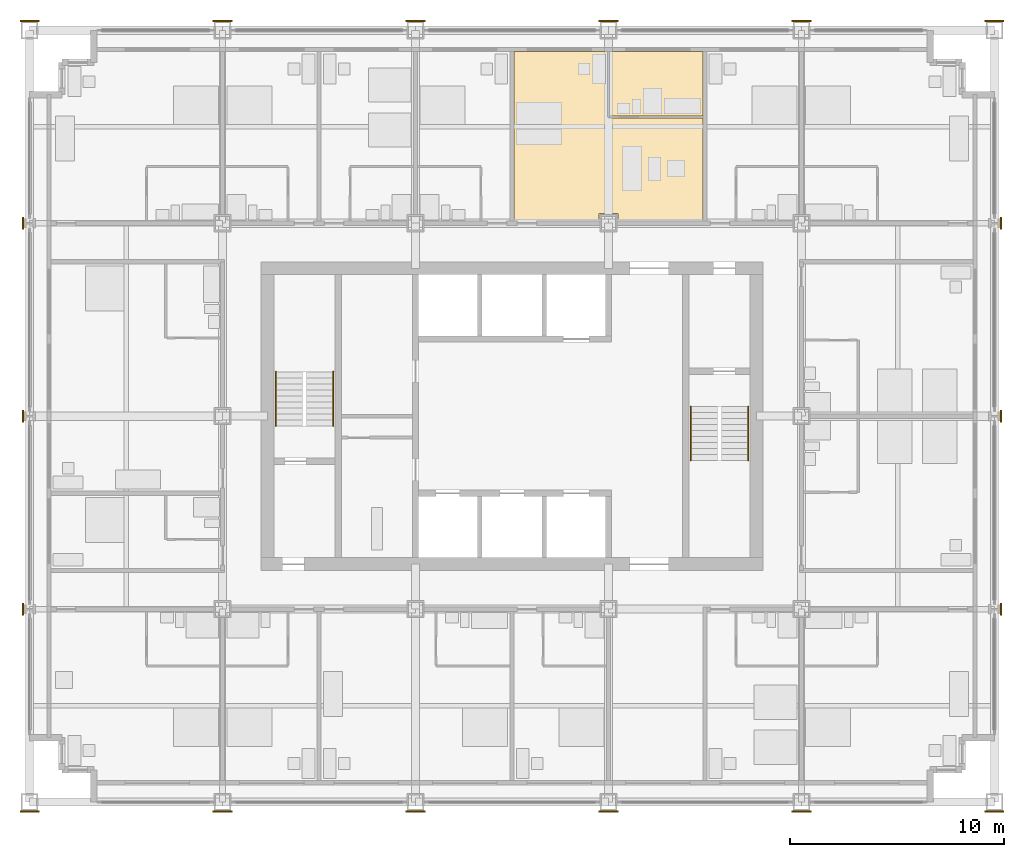
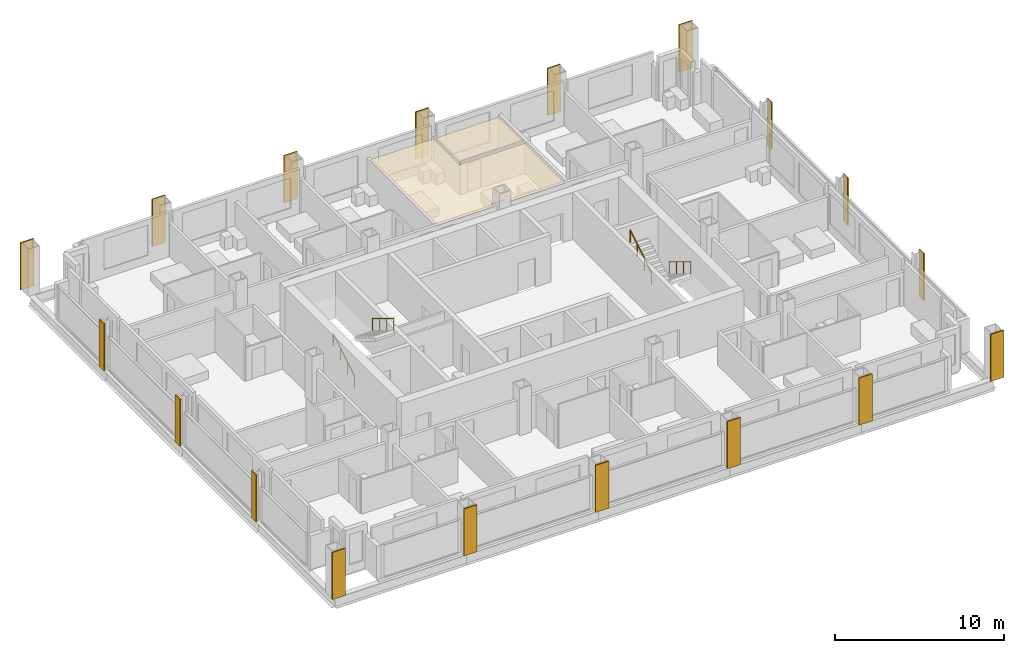
# One storey, part 14 of 16: 20 coverings, 4 railings.
"""IFC4 building model written with IfcOpenShell, lengths in metres."""

from ifc_helpers import new_model, si_unit, direction, frame, origin, origin_2d, place, context, subcontext, project, spatial, polyline, rectangle, circle, outline, extrude, material, layer, layer_set, type_object, element, save


model = new_model("IFC4")

# Units and contexts
model_context = context("Model", 3, precision=1e-05, world=origin(), true_north=direction((0.0, 1.0)))
body_context = subcontext(model_context, "Body", "Model", "MODEL_VIEW")
ifc_project = project(units=[si_unit("LENGTHUNIT", "METRE"), si_unit("AREAUNIT", "SQUARE_METRE"), si_unit("VOLUMEUNIT", "CUBIC_METRE"), si_unit("PLANEANGLEUNIT", "RADIAN"), si_unit("MASSUNIT", "GRAM", prefix="KILO")], contexts=[model_context])

# Site, building, storey
site_placement = place(None, origin())
site = spatial("IfcSite", under=ifc_project, at=site_placement, CompositionType="ELEMENT")
building_placement = place(site_placement, origin())
building = spatial("IfcBuilding", under=site, at=building_placement, Name="Loomwork Tower", CompositionType="ELEMENT")
storey_placement = place(building_placement, frame((0.0, 0.0, 104.39990234375)))
storey = spatial("IfcBuildingStorey", under=building, at=storey_placement, Name="L27", CompositionType="ELEMENT", Elevation=104.39990234375)

# Railings
ifc_material_1 = material(Name="Stainless steel handrail", Category="steel")
railing_type = type_object("IfcRailingType", Name="Handrail 900", PredefinedType="HANDRAIL", material=ifc_material_1)
railing_1_placement = place(storey_placement, frame((11.485107421875, 17.550048828125, 0.170166015625)))
element("IfcRailing", 1, at=railing_1_placement, inside=storey, type_object=railing_type, Name="Stair A handrail flight 1 L27", PredefinedType="HANDRAIL", context=body_context, shape_type="SweptSolid", body=[
    extrude(circle(Radius=0.02392578125, at=origin_2d()), frame((0.0, 0.0, 0.8759765625), z_axis=(0.0, 0.85478489116, 0.518982456201), x_axis=(-1.0, 0.0, 0.0)), (0.0, 0.0, 1.0), 2.9482421875),
    extrude(circle(Radius=0.02099609375, at=origin_2d()), origin(), (0.0, 0.0, 1.0), 0.851806640625),
    extrude(circle(Radius=0.02099609375, at=origin_2d()), frame((0.0, 0.840087890625, 0.510009765625)), (0.0, 0.0, 1.0), 0.851806640625),
    extrude(circle(Radius=0.02099609375, at=origin_2d()), frame((0.0, 1.679931640625, 1.02001953125)), (0.0, 0.0, 1.0), 0.851806640625),
    extrude(circle(Radius=0.02099609375, at=origin_2d()), frame((0.0, 2.52001953125, 1.530029296875)), (0.0, 0.0, 1.0), 0.851806640625),
])
for number, where, name in (
    (2, (14.1650390625, 20.070068359375, 1.8701171875), "Stair A handrail flight 2 L27"),
    (3, (33.514892578125, 18.449951171875, 0.170166015625), "Stair B handrail flight 1 L27"),
):
    element("IfcRailing", number, at=place(storey_placement, frame(where)), inside=storey, type_object=railing_type, Name=name, PredefinedType="HANDRAIL", context=body_context, shape_type="SweptSolid", body=[
        extrude(circle(Radius=0.02392578125, at=origin_2d()), frame((0.0, 0.0, 0.8759765625), z_axis=(0.0, -0.85478489116, 0.518982456201), x_axis=(1.0, 0.0, 0.0)), (0.0, 0.0, 1.0), 2.9482421875),
        extrude(circle(Radius=0.02099609375, at=origin_2d()), origin(), (0.0, 0.0, 1.0), 0.851806640625),
        extrude(circle(Radius=0.02099609375, at=origin_2d()), frame((0.0, -0.840087890625, 0.510009765625)), (0.0, 0.0, 1.0), 0.851806640625),
        extrude(circle(Radius=0.02099609375, at=origin_2d()), frame((0.0, -1.679931640625, 1.02001953125)), (0.0, 0.0, 1.0), 0.851806640625),
        extrude(circle(Radius=0.02099609375, at=origin_2d()), frame((0.0, -2.52001953125, 1.530029296875)), (0.0, 0.0, 1.0), 0.851806640625),
    ])
railing_2_placement = place(storey_placement, frame((30.8349609375, 15.929931640625, 1.8701171875)))
element("IfcRailing", 4, at=railing_2_placement, inside=storey, type_object=railing_type, Name="Stair B handrail flight 2 L27", PredefinedType="HANDRAIL", context=body_context, shape_type="SweptSolid", body=[
    extrude(circle(Radius=0.02392578125, at=origin_2d()), frame((0.0, 0.0, 0.8759765625), z_axis=(0.0, 0.85478489116, 0.518982456201), x_axis=(-1.0, 0.0, 0.0)), (0.0, 0.0, 1.0), 2.9482421875),
    extrude(circle(Radius=0.02099609375, at=origin_2d()), origin(), (0.0, 0.0, 1.0), 0.851806640625),
    extrude(circle(Radius=0.02099609375, at=origin_2d()), frame((0.0, 0.840087890625, 0.510009765625)), (0.0, 0.0, 1.0), 0.851806640625),
    extrude(circle(Radius=0.02099609375, at=origin_2d()), frame((0.0, 1.679931640625, 1.02001953125)), (0.0, 0.0, 1.0), 0.851806640625),
    extrude(circle(Radius=0.02099609375, at=origin_2d()), frame((0.0, 2.52001953125, 1.530029296875)), (0.0, 0.0, 1.0), 0.851806640625),
])

# Coverings
ifc_material_2 = material(Name="Limestone", Category="masonry")
ifc_layer_1 = layer(ifc_material_2, 0.080078125)
ifc_layer_set_1 = layer_set([ifc_layer_1], Name="Limestone pier facing 80")
covering_type_1 = type_object("IfcCoveringType", Name="Limestone pier facing 80", PredefinedType="CLADDING", material=ifc_layer_set_1)
covering_1_placement = place(storey_placement, frame((0.0, -0.43994140625, 0.000244140625), z_axis=(0.0, 0.0, 1.0), x_axis=(1.0, 0.0, 0.0)))
element("IfcCovering", 5, at=covering_1_placement, inside=storey, type_object=covering_type_1, Name="Pier facing D/2 L27", PredefinedType="CLADDING", context=body_context, shape_type="SweptSolid", body=[
    extrude(rectangle(XDim=0.89990234375, YDim=0.080078125, at=origin_2d()), origin(), (0.0, 0.0, 1.0), 3.39990234375),
])
for number, where, z_axis, x_axis, name in (
    (6, (-0.314208984375, 9.0, 0.000244140625), (0.0, 0.0, 1.0), (1.0, 0.0, 0.0), "Pier facing E/2 L27"),
    (7, (-0.314208984375, 18.0, 0.000244140625), (0.0, 0.0, 1.0), (1.0, 0.0, 0.0), "Pier facing F/2 L27"),
    (8, (-0.314208984375, 27.0, 0.000244140625), (0.0, 0.0, 1.0), (1.0, 0.0, 0.0), "Pier facing G/2 L27"),
):
    element("IfcCovering", number, at=place(storey_placement, frame(where, z_axis=z_axis, x_axis=x_axis)), inside=storey, type_object=covering_type_1, Name=name, PredefinedType="CLADDING", context=body_context, shape_type="SweptSolid", body=[
        extrude(rectangle(XDim=0.080078125, YDim=0.549560546875, at=origin_2d()), origin(), (0.0, 0.0, 1.0), 3.39990234375),
    ])
for number, where, z_axis, x_axis, name in (
    (9, (0.0, 36.43994140625, 0.000244140625), (0.0, 0.0, 1.0), (1.0, 0.0, 0.0), "Pier facing H/2 L27"),
    (10, (9.0, -0.43994140625, 0.000244140625), (0.0, 0.0, 1.0), (1.0, 0.0, 0.0), "Pier facing D/3 L27"),
    (11, (9.0, 36.43994140625, 0.000244140625), (0.0, 0.0, 1.0), (1.0, 0.0, 0.0), "Pier facing H/3 L27"),
    (12, (18.0, -0.43994140625, 0.000244140625), (0.0, 0.0, 1.0), (1.0, 0.0, 0.0), "Pier facing D/4 L27"),
    (13, (18.0, 36.43994140625, 0.000244140625), (0.0, 0.0, 1.0), (1.0, 0.0, 0.0), "Pier facing H/4 L27"),
    (14, (27.0, -0.43994140625, 0.000244140625), (0.0, 0.0, 1.0), (1.0, 0.0, 0.0), "Pier facing D/5 L27"),
    (15, (27.0, 36.43994140625, 0.000244140625), (0.0, 0.0, 1.0), (1.0, 0.0, 0.0), "Pier facing H/5 L27"),
    (16, (36.0, -0.43994140625, 0.000244140625), (0.0, 0.0, 1.0), (1.0, 0.0, 0.0), "Pier facing D/6 L27"),
    (17, (36.0, 36.43994140625, 0.000244140625), (0.0, 0.0, 1.0), (1.0, 0.0, 0.0), "Pier facing H/6 L27"),
    (18, (45.0, -0.43994140625, 0.000244140625), (0.0, 0.0, 1.0), (1.0, 0.0, 0.0), "Pier facing D/7 L27"),
):
    element("IfcCovering", number, at=place(storey_placement, frame(where, z_axis=z_axis, x_axis=x_axis)), inside=storey, type_object=covering_type_1, Name=name, PredefinedType="CLADDING", context=body_context, shape_type="SweptSolid", body=[
        extrude(rectangle(XDim=0.89990234375, YDim=0.080078125, at=origin_2d()), origin(), (0.0, 0.0, 1.0), 3.39990234375),
    ])
for number, where, z_axis, x_axis, name in (
    (19, (45.314208984375, 9.0, 0.000244140625), (0.0, 0.0, 1.0), (1.0, 0.0, 0.0), "Pier facing E/7 L27"),
    (20, (45.314208984375, 18.0, 0.000244140625), (0.0, 0.0, 1.0), (1.0, 0.0, 0.0), "Pier facing F/7 L27"),
    (21, (45.314208984375, 27.0, 0.000244140625), (0.0, 0.0, 1.0), (1.0, 0.0, 0.0), "Pier facing G/7 L27"),
):
    element("IfcCovering", number, at=place(storey_placement, frame(where, z_axis=z_axis, x_axis=x_axis)), inside=storey, type_object=covering_type_1, Name=name, PredefinedType="CLADDING", context=body_context, shape_type="SweptSolid", body=[
        extrude(rectangle(XDim=0.080078125, YDim=0.549560546875, at=origin_2d()), origin(), (0.0, 0.0, 1.0), 3.39990234375),
    ])
covering_2_placement = place(storey_placement, frame((45.0, 36.43994140625, 0.000244140625), z_axis=(0.0, 0.0, 1.0), x_axis=(1.0, 0.0, 0.0)))
element("IfcCovering", 22, at=covering_2_placement, inside=storey, type_object=covering_type_1, Name="Pier facing H/7 L27", PredefinedType="CLADDING", context=body_context, shape_type="SweptSolid", body=[
    extrude(rectangle(XDim=0.89990234375, YDim=0.080078125, at=origin_2d()), origin(), (0.0, 0.0, 1.0), 3.39990234375),
])
ifc_material_3 = material(Name="Mineral fibre acoustic tile on suspension grid")
ifc_layer_2 = layer(ifc_material_3, 0.02490234375)
ifc_layer_set_2 = layer_set([ifc_layer_2], Name="Suspended acoustic ceiling")
covering_type_2 = type_object("IfcCoveringType", Name="Suspended acoustic ceiling", PredefinedType="CEILING", material=ifc_layer_set_2)
covering_3_placement = place(storey_placement, frame((0.0, 0.0, 2.175048828125)))
element("IfcCovering", 23, at=covering_3_placement, inside=storey, type_object=covering_type_2, Name="Ceiling Spa bathroom L27", PredefinedType="CEILING", context=body_context, shape_type="SweptSolid", body=[
    extrude(outline(polyline([(27.050048828125, 35.0), (31.39990234375, 35.0), (31.39990234375, 32.0), (27.050048828125, 32.0), (27.050048828125, 35.0)])), origin(), (0.0, 0.0, 1.0), 0.025146484375),
])
covering_4_placement = place(storey_placement, frame((0.0, 0.0, 2.175048828125)))
element("IfcCovering", 24, at=covering_4_placement, inside=storey, type_object=covering_type_2, Name="Ceiling Spa suite L27", PredefinedType="CEILING", context=body_context, shape_type="SweptSolid", body=[
    extrude(outline(polyline([(22.60009765625, 35.0), (26.949951171875, 35.0), (26.949951171875, 31.89990234375), (31.39990234375, 31.89990234375), (31.39990234375, 27.10009765625), (27.449951171875, 27.10009765625), (27.449951171875, 27.449951171875), (26.550048828125, 27.449951171875), (26.550048828125, 27.10009765625), (22.60009765625, 27.10009765625), (22.60009765625, 35.0)])), origin(), (0.0, 0.0, 1.0), 0.025146484375),
])

save(model, "model.ifc")
